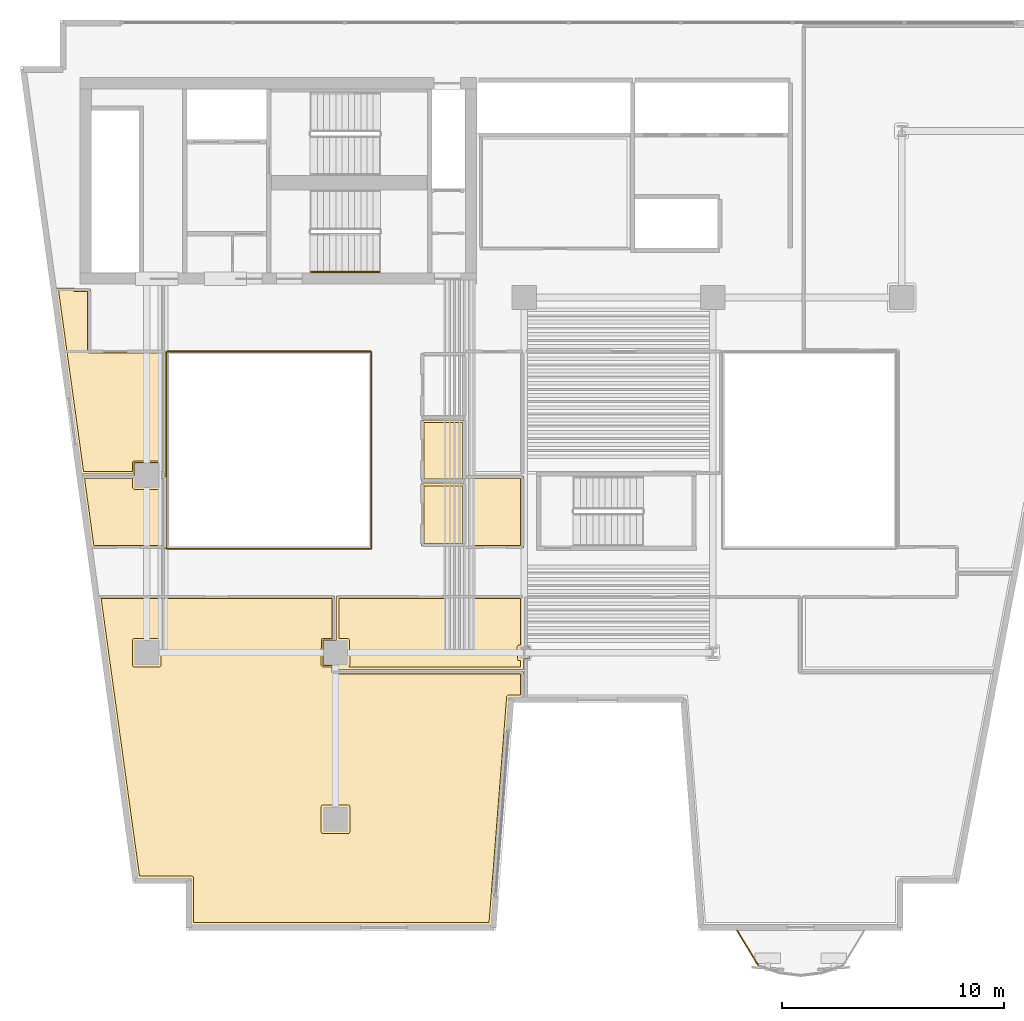
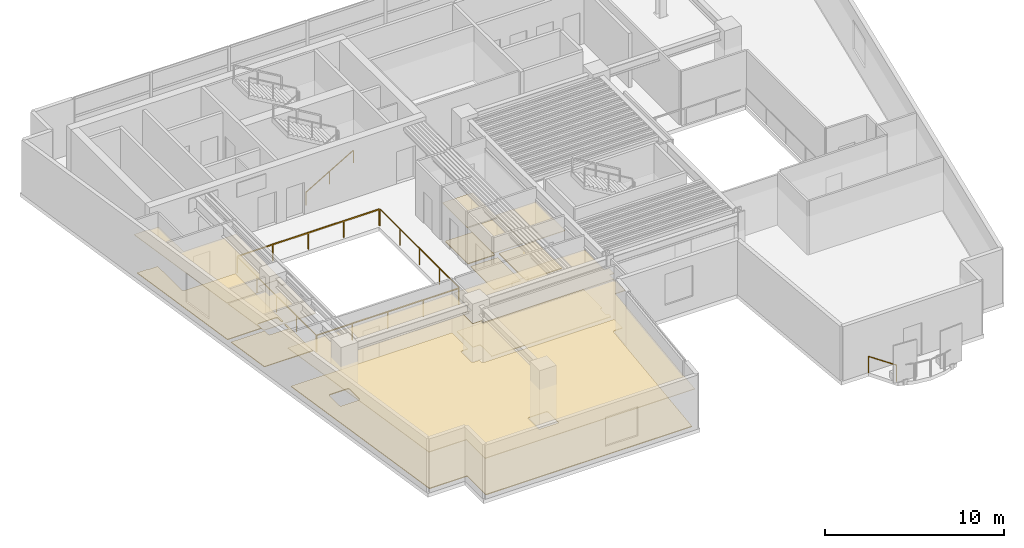
# One storey, part 9 of 12: 14 coverings, 6 railings.
"""IFC4 building model written with IfcOpenShell, lengths in metres."""

import ifcopenshell
import ifcopenshell.guid

model = None  # the IFC model being written
_history = None  # IfcOwnerHistory: only IFC2X3 demands one
_inside = {}  # id of a spatial element -> (the spatial element, [elements in it])
_under = {}  # id of a project, library or spatial element -> (it, [spatial elements below it])
_declared = {}  # id of a project -> (the project, [libraries it declares])
_typed = {}  # id of a type object -> (the type object, [elements of that type])
_made_of = {}  # id of a material, layer set ... -> (it, [elements and type objects made of it])


def new_model(schema):
    """Start an empty IFC model of exactly this schema.

    Asked for "IFC4X3", IfcOpenShell would pick the latest addendum, in which some entities
    have other attributes; the version numbers below select the first issue.
    IFC2X3 requires an IfcOwnerHistory on every rooted entity: one is made here for all.
    """
    global model, _history
    if schema == "IFC4X3":
        model = ifcopenshell.file(schema_version=(4, 3, 0, 0))
    else:
        model = ifcopenshell.file(schema=schema)
    _inside.clear()
    _under.clear()
    _declared.clear()
    _typed.clear()
    _made_of.clear()
    _history = None
    if model.schema == "IFC2X3":
        org = make("IfcOrganization", Name="unknown")
        user = make(
            "IfcPersonAndOrganization",
            ThePerson=make("IfcPerson", FamilyName="unknown"),
            TheOrganization=org,
        )
        app = make(
            "IfcApplication",
            ApplicationDeveloper=org,
            Version="unknown",
            ApplicationFullName="unknown",
            ApplicationIdentifier="unknown",
        )
        _history = make(
            "IfcOwnerHistory",
            OwningUser=user,
            OwningApplication=app,
            ChangeAction="ADDED",
            CreationDate=0,
        )
    return model


def make(cls, **values):
    """One entity of the class cls with the attributes given. An attribute that is None is left unset."""
    return model.create_entity(
        cls, **{name: value for name, value in values.items() if value is not None}
    )


def rooted(cls, **values):
    """An entity with a GlobalId (a new one), such as an element, a storey or a relation."""
    return make(cls, GlobalId=ifcopenshell.guid.new(), OwnerHistory=_history, **values)


def si_unit(unit_type, name, prefix=None):
    """IfcSIUnit, for example si_unit("LENGTHUNIT", "METRE", prefix="MILLI")."""
    return make("IfcSIUnit", UnitType=unit_type, Prefix=prefix, Name=name)


def assignment(units):
    """IfcUnitAssignment: the units of a project."""
    return None if units is None else make("IfcUnitAssignment", Units=units)


def point(xyz):
    """IfcCartesianPoint."""
    return None if xyz is None else make("IfcCartesianPoint", Coordinates=xyz)


def direction(xyz):
    """IfcDirection."""
    return None if xyz is None else make("IfcDirection", DirectionRatios=xyz)


def frame(location, z_axis=None, x_axis=None):
    """IfcAxis2Placement3D, a coordinate frame: its origin and axes. An axis left out is left unset."""
    return make(
        "IfcAxis2Placement3D",
        Location=point(location),
        Axis=direction(z_axis),
        RefDirection=direction(x_axis),
    )


def frame_2d(location, x_axis=None):
    """IfcAxis2Placement2D, a coordinate frame in the plane: its origin and x axis."""
    return make(
        "IfcAxis2Placement2D", Location=point(location), RefDirection=direction(x_axis)
    )


def origin():
    """The frame at (0, 0, 0) with its axes left unset."""
    return frame((0.0, 0.0, 0.0))


def origin_2d():
    """The frame at (0, 0) in the plane with its x axis left unset."""
    return frame_2d((0.0, 0.0))


def place(relative_to, where):
    """IfcLocalPlacement: puts the frame where relative to a parent placement (None: the world)."""
    return make(
        "IfcLocalPlacement", PlacementRelTo=relative_to, RelativePlacement=where
    )


def context(
    kind, dimensions, precision=None, world=None, true_north=None, identifier=None
):
    """IfcGeometricRepresentationContext, for example the 3D "Model" context."""
    return make(
        "IfcGeometricRepresentationContext",
        ContextIdentifier=identifier,
        ContextType=kind,
        CoordinateSpaceDimension=dimensions,
        Precision=precision,
        WorldCoordinateSystem=world,
        TrueNorth=true_north,
    )


def subcontext(parent, identifier, kind, view, scale=None):
    """IfcGeometricRepresentationSubContext, for example "Body" below "Model"."""
    return make(
        "IfcGeometricRepresentationSubContext",
        ContextIdentifier=identifier,
        ContextType=kind,
        ParentContext=parent,
        TargetScale=scale,
        TargetView=view,
    )


def project(units=None, contexts=None):
    """IfcProject with its units and contexts."""
    return rooted(
        "IfcProject",
        Name="project",
        RepresentationContexts=contexts,
        UnitsInContext=assignment(units),
    )


def spatial(cls, under=None, at=None, **own):
    """A site, building, storey or space (cls), placed at a placement, below another one or the project."""
    s = rooted(cls, ObjectPlacement=at, **own)
    if under is not None:
        _under.setdefault(under.id(), (under, []))[1].append(s)
    return s


def polyline(points):
    """IfcPolyline through the points."""
    return make("IfcPolyline", Points=[point(p) for p in points])


def profile(cls, at=None, kind="AREA", **sizes):
    """A parametric profile (cls). Its sizes go by their IFC names, for example OverallWidth=200.0."""
    return make(cls, ProfileType=kind, Position=at, **sizes)


def rectangle(**sizes):
    """IfcRectangleProfileDef."""
    return profile("IfcRectangleProfileDef", **sizes)


def outline(outer, holes=None, kind="AREA"):
    """IfcArbitraryClosedProfileDef: a profile drawn as a closed curve; with holes, ...WithVoids."""
    if holes is None:
        return make("IfcArbitraryClosedProfileDef", ProfileType=kind, OuterCurve=outer)
    return make(
        "IfcArbitraryProfileDefWithVoids",
        ProfileType=kind,
        OuterCurve=outer,
        InnerCurves=holes,
    )


def extrude(swept, where, along, depth):
    """IfcExtrudedAreaSolid: the profile swept, set in the frame where, extruded along a direction by depth."""
    return make(
        "IfcExtrudedAreaSolid",
        SweptArea=swept,
        Position=where,
        ExtrudedDirection=direction(along),
        Depth=depth,
    )


def shape(context_of_items, identifier, shape_type, items):
    """IfcShapeRepresentation: the items that make up one representation, for example the "Body"."""
    return make(
        "IfcShapeRepresentation",
        ContextOfItems=context_of_items,
        RepresentationIdentifier=identifier,
        RepresentationType=shape_type,
        Items=items,
    )


def material(Name=None, Category=None):
    """IfcMaterial."""
    return make("IfcMaterial", Name=Name, Category=Category)


def layer(
    of_material, thickness, ventilated=None, Name=None, Category=None, Priority=None
):
    """IfcMaterialLayer: one layer of a wall or slab, of a material (None: an air gap)."""
    return make(
        "IfcMaterialLayer",
        Material=of_material,
        LayerThickness=thickness,
        IsVentilated=ventilated,
        Name=Name,
        Category=Category,
        Priority=Priority,
    )


def layer_set(layers, Name=None):
    """IfcMaterialLayerSet."""
    return make("IfcMaterialLayerSet", MaterialLayers=layers, LayerSetName=Name)


def made_of(thing, what):
    """Note that an element or type object is made of a material, layer set ...; save() writes the relation."""
    if what is not None:
        _made_of.setdefault(what.id(), (what, []))[1].append(thing)
    return thing


def type_object(cls, material=None, **own):
    """A type object (cls), such as IfcWallType, which elements share."""
    return made_of(rooted(cls, **own), material)


def element(
    cls,
    number,
    at=None,
    inside=None,
    cuts=None,
    type_object=None,
    material=None,
    context=None,
    identifier="Body",
    shape_type=None,
    held_by="IfcProductDefinitionShape",
    body=None,
    shapes=None,
    **own,
):
    """One element of the class cls, such as IfcWall. Its Tag is "e" and its number.

    at: its placement. inside: the storey or other place that contains it. cuts: it is an
    opening in that element (IfcRelVoidsElement). A single representation is given by context,
    identifier, shape_type and body (its items); several are given by shapes. held_by: the class
    of the entity that holds the representations. save() writes the other relations.
    """
    e = rooted(cls, Tag="e%d" % number, ObjectPlacement=at, **own)
    if body is not None:
        shapes = [shape(context, identifier, shape_type, body)]
    if shapes is not None:
        e.Representation = make(held_by, Representations=shapes)
    if inside is not None:
        _inside.setdefault(inside.id(), (inside, []))[1].append(e)
    if cuts is not None:
        rooted(
            "IfcRelVoidsElement", RelatingBuildingElement=cuts, RelatedOpeningElement=e
        )
    if type_object is not None:
        _typed.setdefault(type_object.id(), (type_object, []))[1].append(e)
    return made_of(e, material)


def aggregate(whole, parts):
    """IfcRelAggregates: a whole, such as a stair, and the parts it consists of."""
    return rooted("IfcRelAggregates", RelatingObject=whole, RelatedObjects=parts)


def save(model, path):
    """Write the relations noted so far, then the file.

    IfcRelAggregates (storeys below a building ...), IfcRelContainedInSpatialStructure (elements
    in a storey), IfcRelDefinesByType, IfcRelAssociatesMaterial and IfcRelDeclares: one each for
    every whole, place, type object, material and project.
    """
    for whole, parts in _under.values():
        aggregate(whole, parts)
    for where, things in _inside.values():
        rooted(
            "IfcRelContainedInSpatialStructure",
            RelatedElements=things,
            RelatingStructure=where,
        )
    for kind, things in _typed.values():
        rooted("IfcRelDefinesByType", RelatedObjects=things, RelatingType=kind)
    for what, things in _made_of.values():
        rooted("IfcRelAssociatesMaterial", RelatedObjects=things, RelatingMaterial=what)
    for by, libraries in _declared.values():
        rooted("IfcRelDeclares", RelatingContext=by, RelatedDefinitions=libraries)
    model.write(path)


model = new_model("IFC4")

# Units and contexts
model_context = context("Model", 3, precision=1e-05, world=origin(), true_north=direction((0.0, 1.0)))
body_context = subcontext(model_context, "Body", "Model", "MODEL_VIEW")
ifc_project = project(units=[si_unit("LENGTHUNIT", "METRE"), si_unit("AREAUNIT", "SQUARE_METRE"), si_unit("VOLUMEUNIT", "CUBIC_METRE"), si_unit("PLANEANGLEUNIT", "RADIAN"), si_unit("MASSUNIT", "GRAM", prefix="KILO")], contexts=[model_context])

# Site, building, storey
site_placement = place(None, origin())
site = spatial("IfcSite", under=ifc_project, at=site_placement, CompositionType="ELEMENT")
building_placement = place(site_placement, origin())
building = spatial("IfcBuilding", under=site, at=building_placement, Name="Caeloran Harvest Quay", CompositionType="ELEMENT")
storey_placement = place(building_placement, frame((0.0, 0.0, 111.39990234375)))
storey = spatial("IfcBuildingStorey", under=building, at=storey_placement, Name="L25", CompositionType="ELEMENT", Elevation=111.39990234375)

# Coverings
ifc_material_1 = material(Name="Perforated Mineral-Fibre Acoustic Ceiling Tile", Category="ceiling")
ifc_layer_1 = layer(ifc_material_1, 0.0400390625, Name="Perforated Mineral-Fibre Acoustic Ceiling Tile")
ifc_layer_set_1 = layer_set([ifc_layer_1], Name="Perforated Mineral-Fibre Acoustic Ceiling Tile")
covering_type_1 = type_object("IfcCoveringType", Name="COV-CEILING-ACOUSTIC", PredefinedType="CEILING", material=ifc_layer_set_1)
covering_1_placement = place(storey_placement, frame((0.0, 0.0, 2.60009765625)))
element("IfcCovering", 1, at=covering_1_placement, inside=storey, type_object=covering_type_1, Name="L25 Female Washroom WC Acoustic Ceiling", PredefinedType="CEILING", context=body_context, shape_type="SweptSolid", body=[
    extrude(outline(polyline([(22.840087890625, 22.7099609375), (20.8701171875, 22.7099609375), (20.8701171875, 25.489990234375), (22.840087890625, 25.489990234375), (22.840087890625, 22.7099609375)])), origin(), (0.0, 0.0, 1.0), 0.0400390625),
])
covering_2_placement = place(storey_placement, frame((0.0, 0.0, 2.60009765625)))
element("IfcCovering", 2, at=covering_2_placement, inside=storey, type_object=covering_type_1, Name="L25 Accessible Unisex Washroom WC Acoustic Ceiling", PredefinedType="CEILING", context=body_context, shape_type="SweptSolid", body=[
    extrude(outline(polyline([(22.840087890625, 19.81005859375), (20.8701171875, 19.81005859375), (20.8701171875, 22.639892578125), (22.840087890625, 22.639892578125), (22.840087890625, 19.81005859375)])), origin(), (0.0, 0.0, 1.0), 0.0400390625),
])
covering_3_placement = place(storey_placement, frame((0.0, 0.0, 2.60009765625)))
element("IfcCovering", 3, at=covering_3_placement, inside=storey, type_object=covering_type_1, Name="Agri-Robotics Open Research Workspace Acoustic Ceiling", PredefinedType="CEILING", context=body_context, shape_type="SweptSolid", body=[
    extrude(outline(polyline([(6.309326171875, 17.56005859375), (16.9599609375, 17.56005859375), (16.9599609375, 15.570068359375), (17.570068359375, 15.570068359375), (17.570068359375, 14.429931640625), (16.9599609375, 14.429931640625), (16.9599609375, 14.159912109375), (25.4599609375, 14.159912109375), (25.4599609375, 12.969970703125), (24.826416015625, 12.969970703125), (24.026611328125, 2.719970703125), (10.489990234375, 2.719970703125), (10.489990234375, 4.820068359375), (8.0712890625, 4.820068359375), (6.309326171875, 17.56005859375)])), origin(), (0.0, 0.0, 1.0), 0.0400390625),
])
covering_4_placement = place(storey_placement, frame((0.0, 0.0, 2.60009765625)))
element("IfcCovering", 4, at=covering_4_placement, inside=storey, type_object=covering_type_1, Name="Phenotyping Sensor Laboratory Acoustic Ceiling", PredefinedType="CEILING", context=body_context, shape_type="SweptSolid", body=[
    extrude(outline(polyline([(16.429931640625, 14.429931640625), (16.429931640625, 15.570068359375), (17.0400390625, 15.570068359375), (17.0400390625, 17.56005859375), (25.4599609375, 17.56005859375), (25.4599609375, 15.277099609375), (25.738525390625, 15.277099609375), (25.738525390625, 14.722900390625), (25.4599609375, 14.722900390625), (25.4599609375, 14.239990234375), (17.0400390625, 14.239990234375), (17.0400390625, 14.429931640625), (16.429931640625, 14.429931640625)])), origin(), (0.0, 0.0, 1.0), 0.0400390625),
])
covering_5_placement = place(storey_placement, frame((0.0, 0.0, 2.60009765625)))
element("IfcCovering", 5, at=covering_5_placement, inside=storey, type_object=covering_type_1, Name="R&D Project Conference Room Acoustic Ceiling", PredefinedType="CEILING", context=body_context, shape_type="SweptSolid", body=[
    extrude(outline(polyline([(25.4599609375, 19.7099609375), (22.8701171875, 19.7099609375), (22.8701171875, 22.9599609375), (25.4599609375, 22.9599609375), (25.4599609375, 19.7099609375)])), origin(), (0.0, 0.0, 1.0), 0.0400390625),
])
covering_6_placement = place(storey_placement, frame((0.0, 0.0, 2.60009765625)))
element("IfcCovering", 6, at=covering_6_placement, inside=storey, type_object=covering_type_1, Name="Collaborators Tea Lounge Acoustic Ceiling", PredefinedType="CEILING", context=body_context, shape_type="SweptSolid", body=[
    extrude(outline(polyline([(9.360107421875, 22.9599609375), (9.360107421875, 19.7099609375), (6.01220703125, 19.7099609375), (5.5625, 22.9599609375), (7.929931640625, 22.9599609375), (7.929931640625, 23.570068359375), (9.070068359375, 23.570068359375), (9.070068359375, 22.9599609375), (9.360107421875, 22.9599609375)])), origin(), (0.0, 0.0, 1.0), 0.0400390625),
])
covering_7_placement = place(storey_placement, frame((0.0, 0.0, 2.60009765625)))
element("IfcCovering", 7, at=covering_7_placement, inside=storey, type_object=covering_type_1, Name="Crop Genomics Wet Laboratory 9 Acoustic Ceiling", PredefinedType="CEILING", context=body_context, shape_type="SweptSolid", body=[
    extrude(outline(polyline([(9.070068359375, 22.429931640625), (7.929931640625, 22.429931640625), (7.929931640625, 23.0400390625), (5.551513671875, 23.0400390625), (4.391357421875, 31.429931640625), (5.214599609375, 31.429931640625), (5.260009765625, 31.408447265625), (5.260009765625, 31.389892578125), (5.9599609375, 31.389892578125), (5.9599609375, 28.610107421875), (9.360107421875, 28.610107421875), (9.360107421875, 23.0400390625), (9.070068359375, 23.0400390625), (9.070068359375, 22.429931640625)])), origin(), (0.0, 0.0, 1.0), 0.0400390625),
])
ifc_material_2 = material(Name="Calcium-Sulphate Raised Access Floor and Terrazzo Finish", Category="flooring")
ifc_layer_2 = layer(ifc_material_2, 0.050048828125, Name="Calcium-Sulphate Raised Access Floor and Terrazzo Finish")
ifc_layer_set_2 = layer_set([ifc_layer_2], Name="Calcium-Sulphate Raised Access Floor and Terrazzo Finish")
covering_type_2 = type_object("IfcCoveringType", Name="COV-FLOOR-RAISED", PredefinedType="FLOORING", material=ifc_layer_set_2)
covering_8_placement = place(storey_placement, origin())
element("IfcCovering", 8, at=covering_8_placement, inside=storey, type_object=covering_type_2, Name="L25 Female Washroom WC Raised Finish Flooring", PredefinedType="FLOORING", context=body_context, shape_type="SweptSolid", body=[
    extrude(outline(polyline([(22.719970703125, 22.830078125), (20.989990234375, 22.830078125), (20.989990234375, 25.3701171875), (22.719970703125, 25.3701171875), (22.719970703125, 22.830078125)])), origin(), (0.0, 0.0, 1.0), 0.050048828125),
])
covering_9_placement = place(storey_placement, origin())
element("IfcCovering", 9, at=covering_9_placement, inside=storey, type_object=covering_type_2, Name="L25 Accessible Unisex Washroom WC Raised Finish Flooring", PredefinedType="FLOORING", context=body_context, shape_type="SweptSolid", body=[
    extrude(outline(polyline([(22.719970703125, 19.929931640625), (20.989990234375, 19.929931640625), (20.989990234375, 22.52001953125), (22.719970703125, 22.52001953125), (22.719970703125, 19.929931640625)])), origin(), (0.0, 0.0, 1.0), 0.050048828125),
])
covering_10_placement = place(storey_placement, origin())
element("IfcCovering", 10, at=covering_10_placement, inside=storey, type_object=covering_type_2, Name="Agri-Robotics Open Research Workspace Raised Finish Flooring", PredefinedType="FLOORING", context=body_context, shape_type="SweptSolid", body=[
    extrude(outline(polyline([(10.610107421875, 4.860107421875), (10.586669921875, 4.91650390625), (10.530029296875, 4.93994140625), (8.17578125, 4.93994140625), (6.447021484375, 17.43994140625), (16.840087890625, 17.43994140625), (16.840087890625, 15.64501953125), (16.42724609375, 15.64453125), (16.361083984375, 15.595703125), (16.35498046875, 14.43505859375), (16.41943359375, 14.3564453125), (16.840087890625, 14.35498046875), (16.841552734375, 14.1044921875), (16.889404296875, 14.046142578125), (25.340087890625, 14.0400390625), (25.340087890625, 13.090087890625), (24.781494140625, 13.089599609375), (24.709716796875, 13.01611328125), (23.91552734375, 2.840087890625), (10.610107421875, 2.840087890625), (10.610107421875, 4.860107421875)]), holes=[polyline([(16.43505859375, 8.14501953125), (16.37841796875, 8.12158203125), (16.35498046875, 8.06494140625), (16.35498046875, 6.93505859375), (16.37841796875, 6.87841796875), (16.43505859375, 6.85498046875), (17.56494140625, 6.85498046875), (17.62158203125, 6.87841796875), (17.64501953125, 6.93505859375), (17.64501953125, 8.06494140625), (17.62158203125, 8.12158203125), (17.56494140625, 8.14501953125), (16.43505859375, 8.14501953125)]), polyline([(7.93505859375, 15.64501953125), (7.87841796875, 15.62158203125), (7.85498046875, 15.56494140625), (7.85498046875, 14.43505859375), (7.87841796875, 14.37841796875), (7.93505859375, 14.35498046875), (9.06494140625, 14.35498046875), (9.12158203125, 14.37841796875), (9.14501953125, 14.43505859375), (9.14501953125, 15.56494140625), (9.12158203125, 15.62158203125), (9.06494140625, 15.64501953125), (7.93505859375, 15.64501953125)])]), origin(), (0.0, 0.0, 1.0), 0.050048828125),
])
covering_11_placement = place(storey_placement, origin())
element("IfcCovering", 11, at=covering_11_placement, inside=storey, type_object=covering_type_2, Name="Phenotyping Sensor Laboratory Raised Finish Flooring", PredefinedType="FLOORING", context=body_context, shape_type="SweptSolid", body=[
    extrude(outline(polyline([(17.592529296875, 14.360107421875), (17.64501953125, 14.43505859375), (17.6416015625, 15.588134765625), (17.57275390625, 15.64453125), (17.159912109375, 15.64501953125), (17.159912109375, 17.43994140625), (25.340087890625, 17.43994140625), (25.340087890625, 15.35205078125), (25.228759765625, 15.342529296875), (25.1865234375, 15.27197265625), (25.18798828125, 14.71240234375), (25.23583984375, 14.654052734375), (25.340087890625, 14.64794921875), (25.340087890625, 14.360107421875), (17.592529296875, 14.360107421875)])), origin(), (0.0, 0.0, 1.0), 0.050048828125),
])
covering_12_placement = place(storey_placement, origin())
element("IfcCovering", 12, at=covering_12_placement, inside=storey, type_object=covering_type_2, Name="R&D Project Conference Room Raised Finish Flooring", PredefinedType="FLOORING", context=body_context, shape_type="SweptSolid", body=[
    extrude(outline(polyline([(25.340087890625, 19.830078125), (22.989990234375, 19.830078125), (22.989990234375, 22.840087890625), (25.340087890625, 22.840087890625), (25.340087890625, 19.830078125)])), origin(), (0.0, 0.0, 1.0), 0.050048828125),
])
covering_13_placement = place(storey_placement, origin())
element("IfcCovering", 13, at=covering_13_placement, inside=storey, type_object=covering_type_2, Name="Collaborators Tea Lounge Raised Finish Flooring", PredefinedType="FLOORING", context=body_context, shape_type="SweptSolid", body=[
    extrude(outline(polyline([(7.85498046875, 22.840087890625), (7.8564453125, 22.41943359375), (7.93505859375, 22.35498046875), (9.095703125, 22.361083984375), (9.14453125, 22.42724609375), (9.14501953125, 22.840087890625), (9.239990234375, 22.840087890625), (9.239990234375, 19.830078125), (6.11669921875, 19.830078125), (5.700439453125, 22.840087890625), (7.85498046875, 22.840087890625)])), origin(), (0.0, 0.0, 1.0), 0.050048828125),
])
covering_14_placement = place(storey_placement, origin())
element("IfcCovering", 14, at=covering_14_placement, inside=storey, type_object=covering_type_2, Name="Crop Genomics Wet Laboratory 9 Raised Finish Flooring", PredefinedType="FLOORING", context=body_context, shape_type="SweptSolid", body=[
    extrude(outline(polyline([(5.165283203125, 31.31005859375), (5.2431640625, 31.270263671875), (5.840087890625, 31.27001953125), (5.840087890625, 28.60009765625), (5.8857421875, 28.5107421875), (5.949951171875, 28.489990234375), (9.239990234375, 28.489990234375), (9.239990234375, 23.159912109375), (9.14501953125, 23.159912109375), (9.1435546875, 23.58056640625), (9.06494140625, 23.64501953125), (7.904296875, 23.638916015625), (7.85546875, 23.57275390625), (7.85498046875, 23.159912109375), (5.656005859375, 23.159912109375), (4.529052734375, 31.31005859375), (5.165283203125, 31.31005859375)])), origin(), (0.0, 0.0, 1.0), 0.050048828125),
])

# Railings
ifc_material_3 = material(Name="Powder-Coated Steel Post and Laminated Glass Guardrail", Category="steel")
ifc_layer_3 = layer(ifc_material_3, 0.06005859375, Name="Powder-Coated Steel Post and Laminated Glass Guardrail")
ifc_layer_set_3 = layer_set([ifc_layer_3], Name="Powder-Coated Steel Post and Laminated Glass Guardrail")
railing_type_1 = type_object("IfcRailingType", Name="GUARD-ATRIUM-1150", PredefinedType="GUARDRAIL", material=ifc_layer_set_3)
railing_1_placement = place(storey_placement, frame((9.412109375, 19.679931640625, 0.0)))
element("IfcRailing", 15, at=railing_1_placement, inside=storey, type_object=railing_type_1, Name="L25 Skylit Atrium Void Perimeter Guardrail Seg 1", PredefinedType="GUARDRAIL", context=body_context, shape_type="SweptSolid", body=[
    extrude(rectangle(XDim=0.048095703125, YDim=0.048095703125, at=origin_2d()), frame((0.0, 0.0, 1.1259765625), z_axis=(1.0, 0.0, 0.0), x_axis=(0.0, 1.0, 0.0)), (0.0, 0.0, 1.0), 9.17578125),
    extrude(rectangle(XDim=0.0419921875, YDim=0.0419921875, at=origin_2d()), origin(), (0.0, 0.0, 1.0), 1.101806640625),
    extrude(rectangle(XDim=0.0419921875, YDim=0.0419921875, at=origin_2d()), frame((2.2939453125, 0.0, 0.0)), (0.0, 0.0, 1.0), 1.101806640625),
    extrude(rectangle(XDim=0.0419921875, YDim=0.0419921875, at=origin_2d()), frame((4.587890625, 0.0, 0.0)), (0.0, 0.0, 1.0), 1.101806640625),
    extrude(rectangle(XDim=0.0419921875, YDim=0.0419921875, at=origin_2d()), frame((6.8818359375, 0.0, 0.0)), (0.0, 0.0, 1.0), 1.101806640625),
    extrude(rectangle(XDim=0.0419921875, YDim=0.0419921875, at=origin_2d()), frame((9.17578125, 0.0, 0.0)), (0.0, 0.0, 1.0), 1.101806640625),
])
railing_2_placement = place(storey_placement, frame((18.6201171875, 19.7119140625, 0.0)))
element("IfcRailing", 16, at=railing_2_placement, inside=storey, type_object=railing_type_1, Name="L25 Skylit Atrium Void Perimeter Guardrail Seg 2", PredefinedType="GUARDRAIL", context=body_context, shape_type="SweptSolid", body=[
    extrude(rectangle(XDim=0.048095703125, YDim=0.048095703125, at=origin_2d()), frame((0.0, 0.0, 1.1259765625), z_axis=(0.0, 1.0, 0.0), x_axis=(-1.0, 0.0, 0.0)), (0.0, 0.0, 1.0), 8.826171875),
    extrude(rectangle(XDim=0.0419921875, YDim=0.0419921875, at=origin_2d()), origin(), (0.0, 0.0, 1.0), 1.101806640625),
    extrude(rectangle(XDim=0.0419921875, YDim=0.0419921875, at=origin_2d()), frame((0.0, 2.20654296875, 0.0)), (0.0, 0.0, 1.0), 1.101806640625),
    extrude(rectangle(XDim=0.0419921875, YDim=0.0419921875, at=origin_2d()), frame((0.0, 4.4130859375, 0.0)), (0.0, 0.0, 1.0), 1.101806640625),
    extrude(rectangle(XDim=0.0419921875, YDim=0.0419921875, at=origin_2d()), frame((0.0, 6.61962890625, 0.0)), (0.0, 0.0, 1.0), 1.101806640625),
    extrude(rectangle(XDim=0.0419921875, YDim=0.0419921875, at=origin_2d()), frame((0.0, 8.826171875, 0.0)), (0.0, 0.0, 1.0), 1.101806640625),
])
railing_3_placement = place(storey_placement, frame((18.587890625, 28.570068359375, 0.0)))
element("IfcRailing", 17, at=railing_3_placement, inside=storey, type_object=railing_type_1, Name="L25 Skylit Atrium Void Perimeter Guardrail Seg 3", PredefinedType="GUARDRAIL", context=body_context, shape_type="SweptSolid", body=[
    extrude(rectangle(XDim=0.048095703125, YDim=0.048095703125, at=origin_2d()), frame((0.0, 0.0, 1.1259765625), z_axis=(-1.0, 0.0, 0.0), x_axis=(0.0, -1.0, 0.0)), (0.0, 0.0, 1.0), 9.17578125),
    extrude(rectangle(XDim=0.0419921875, YDim=0.0419921875, at=origin_2d()), origin(), (0.0, 0.0, 1.0), 1.101806640625),
    extrude(rectangle(XDim=0.0419921875, YDim=0.0419921875, at=origin_2d()), frame((-2.2939453125, 0.0, 0.0)), (0.0, 0.0, 1.0), 1.101806640625),
    extrude(rectangle(XDim=0.0419921875, YDim=0.0419921875, at=origin_2d()), frame((-4.587890625, 0.0, 0.0)), (0.0, 0.0, 1.0), 1.101806640625),
    extrude(rectangle(XDim=0.0419921875, YDim=0.0419921875, at=origin_2d()), frame((-6.8818359375, 0.0, 0.0)), (0.0, 0.0, 1.0), 1.101806640625),
    extrude(rectangle(XDim=0.0419921875, YDim=0.0419921875, at=origin_2d()), frame((-9.17578125, 0.0, 0.0)), (0.0, 0.0, 1.0), 1.101806640625),
])
railing_4_placement = place(storey_placement, frame((9.3798828125, 28.5380859375, 0.0)))
element("IfcRailing", 18, at=railing_4_placement, inside=storey, type_object=railing_type_1, Name="L25 Skylit Atrium Void Perimeter Guardrail Seg 4", PredefinedType="GUARDRAIL", context=body_context, shape_type="SweptSolid", body=[
    extrude(rectangle(XDim=0.048095703125, YDim=0.048095703125, at=origin_2d()), frame((0.0, 0.0, 1.1259765625), z_axis=(0.0, -1.0, 0.0), x_axis=(1.0, 0.0, 0.0)), (0.0, 0.0, 1.0), 8.826171875),
    extrude(rectangle(XDim=0.0419921875, YDim=0.0419921875, at=origin_2d()), origin(), (0.0, 0.0, 1.0), 1.101806640625),
    extrude(rectangle(XDim=0.0419921875, YDim=0.0419921875, at=origin_2d()), frame((0.0, -2.20654296875, 0.0)), (0.0, 0.0, 1.0), 1.101806640625),
    extrude(rectangle(XDim=0.0419921875, YDim=0.0419921875, at=origin_2d()), frame((0.0, -4.4130859375, 0.0)), (0.0, 0.0, 1.0), 1.101806640625),
    extrude(rectangle(XDim=0.0419921875, YDim=0.0419921875, at=origin_2d()), frame((0.0, -6.61962890625, 0.0)), (0.0, 0.0, 1.0), 1.101806640625),
    extrude(rectangle(XDim=0.0419921875, YDim=0.0419921875, at=origin_2d()), frame((0.0, -8.826171875, 0.0)), (0.0, 0.0, 1.0), 1.101806640625),
])
ifc_material_4 = material(Name="Laminated Safety Glass and Stainless Steel 316", Category="steel")
ifc_layer_4 = layer(ifc_material_4, 0.06005859375, Name="Laminated Safety Glass and Stainless Steel 316")
ifc_layer_set_4 = layer_set([ifc_layer_4], Name="Laminated Safety Glass and Stainless Steel 316")
railing_type_2 = type_object("IfcRailingType", Name="GUARD-BALUSTRADE-1150", PredefinedType="BALUSTRADE", material=ifc_layer_set_4)
railing_5_placement = place(storey_placement, frame((36.028564453125, 0.94677734375, 0.0)))
element("IfcRailing", 19, at=railing_5_placement, inside=storey, type_object=railing_type_2, Name="L25 Planted Balcony Perimeter Balustrade Guard Seg 6", PredefinedType="BALUSTRADE", context=body_context, shape_type="SweptSolid", body=[
    extrude(rectangle(XDim=0.048095703125, YDim=0.048095703125, at=origin_2d()), frame((0.0, 0.0, 1.1259765625), z_axis=(-0.522460171992, 0.852663690257, 0.0), x_axis=(-0.852663690257, -0.522460171992, 0.0)), (0.0, 0.0, 1.0), 1.798095703125),
    extrude(rectangle(XDim=0.0419921875, YDim=0.0419921875, at=origin_2d()), origin(), (0.0, 0.0, 1.0), 1.101806640625),
    extrude(rectangle(XDim=0.0419921875, YDim=0.0419921875, at=origin_2d()), frame((-0.939453125, 1.533203125, 0.0)), (0.0, 0.0, 1.0), 1.101806640625),
])
ifc_material_5 = material(Name="Brushed Stainless Steel Grade 304", Category="steel")
ifc_layer_5 = layer(ifc_material_5, 0.050048828125, Name="Brushed Stainless Steel Grade 304")
ifc_layer_set_5 = layer_set([ifc_layer_5], Name="Brushed Stainless Steel Grade 304")
railing_type_3 = type_object("IfcRailingType", Name="STAIR-HANDRAIL-900", PredefinedType="HANDRAIL", material=ifc_layer_set_5)
railing_6_placement = place(storey_placement, frame((15.89990234375, 32.14990234375, 0.164794921875)))
element("IfcRailing", 20, at=railing_6_placement, inside=storey, type_object=railing_type_3, Name="L25 ST-C2 stair handrail 1", PredefinedType="HANDRAIL", context=body_context, shape_type="SweptSolid", body=[
    extrude(rectangle(XDim=0.048095703125, YDim=0.048095703125, at=origin_2d()), frame((0.0, 0.0, 0.8759765625), z_axis=(0.862118610829, 0.0, 0.506706523406), x_axis=(0.0, 1.0, 0.0)), (0.0, 0.0, 1.0), 3.57275390625),
    extrude(rectangle(XDim=0.0419921875, YDim=0.0419921875, at=origin_2d()), origin(), (0.0, 0.0, 1.0), 0.851806640625),
    extrude(rectangle(XDim=0.0419921875, YDim=0.0419921875, at=origin_2d()), frame((1.5400390625, 0.0, 0.9052734375)), (0.0, 0.0, 1.0), 0.851806640625),
    extrude(rectangle(XDim=0.0419921875, YDim=0.0419921875, at=origin_2d()), frame((3.080078125, 0.0, 1.810302734375)), (0.0, 0.0, 1.0), 0.851806640625),
])

save(model, "model.ifc")
